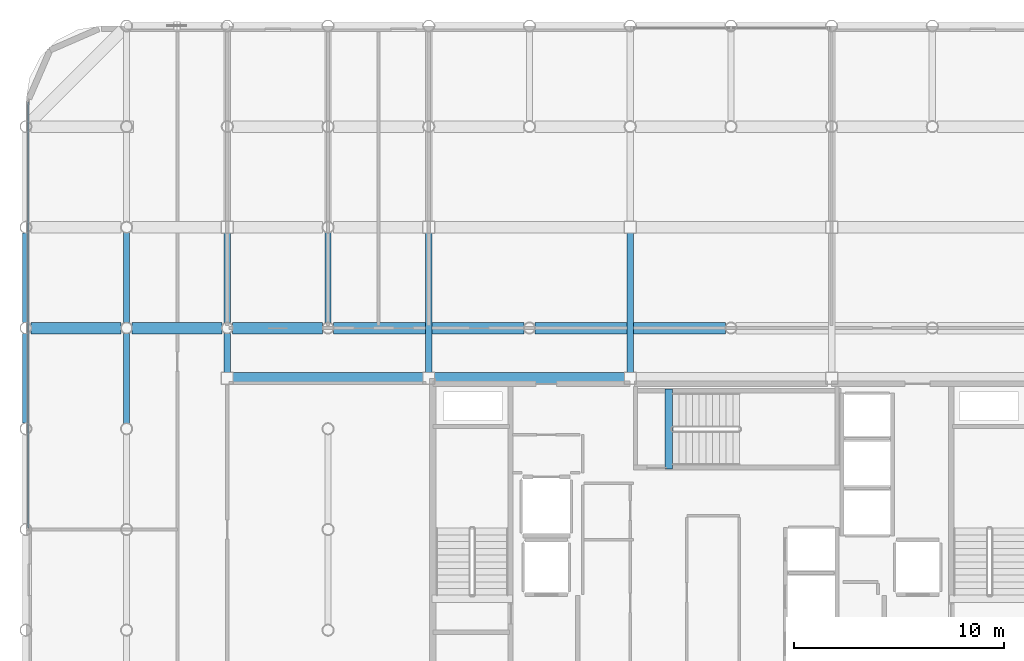
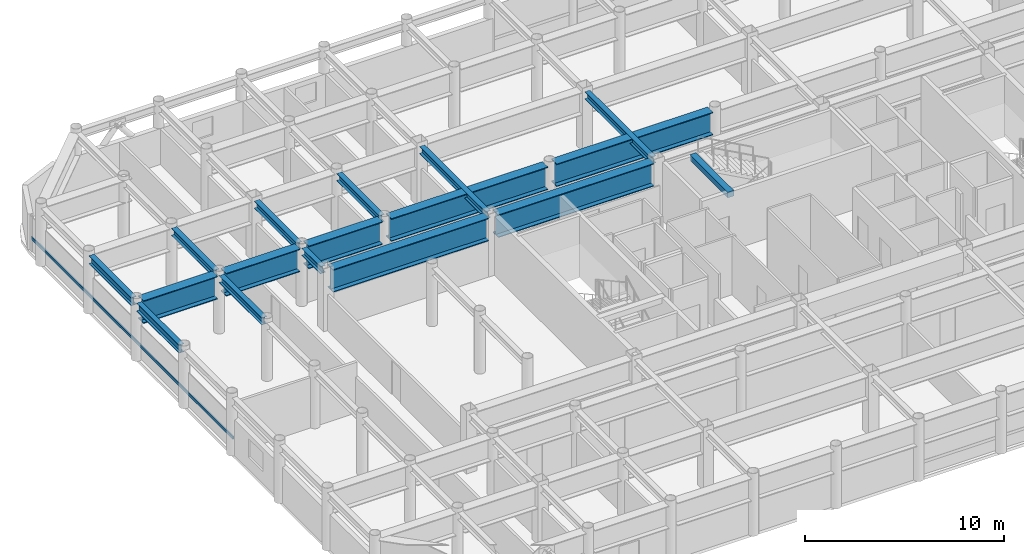
# One storey, part 7 of 21: 17 beams, 1 member, 1 element without a shape of its own.
"""IFC4 building model written with IfcOpenShell, lengths in metres."""

from ifc_helpers import new_model, si_unit, direction, frame, origin, origin_2d, place, context, subcontext, project, spatial, rectangle, hollow_rectangle, i_section, extrude, material, layer, layer_set, material_profile, profile_set, type_object, element, aggregate, save


model = new_model("IFC4")

# Units and contexts
model_context = context("Model", 3, precision=1e-05, world=origin(), true_north=direction((0.0, 1.0)))
body_context = subcontext(model_context, "Body", "Model", "MODEL_VIEW")
ifc_project = project(units=[si_unit("LENGTHUNIT", "METRE"), si_unit("AREAUNIT", "SQUARE_METRE"), si_unit("VOLUMEUNIT", "CUBIC_METRE"), si_unit("PLANEANGLEUNIT", "RADIAN"), si_unit("MASSUNIT", "GRAM", prefix="KILO")], contexts=[model_context])

# Site, building, storey
site_placement = place(None, origin())
site = spatial("IfcSite", under=ifc_project, at=site_placement, CompositionType="ELEMENT")
building_placement = place(site_placement, origin())
building = spatial("IfcBuilding", under=site, at=building_placement, Name="Kallvorn Hotel Tower", CompositionType="ELEMENT")
storey_placement = place(building_placement, frame((0.0, 0.0, 272.35009765625)))
storey = spatial("IfcBuildingStorey", under=building, at=storey_placement, Name="L68", CompositionType="ELEMENT", Elevation=272.35009765625)

# Beams
ifc_material_1 = material(Name="Structural steel S355JR", Category="steel")
ifc_material_profile_1 = material_profile(ifc_material_1, i_section(OverallWidth=0.300048828125, OverallDepth=0.43994140625, WebThickness=0.011474609375, FlangeThickness=0.02099609375, at=origin_2d()), Name="HE 450 A")
ifc_profile_set_1 = profile_set([ifc_material_profile_1], Name="Structural steel S355JR")
beam_type_1 = type_object("IfcBeamType", Name="BM_HE450A", PredefinedType="BEAM", material=ifc_profile_set_1)
for number, where, z_axis, x_axis, name in (
    (1, (-28.800048828125, 5.054443359375, 3.3798828125), (0.0, 1.0, 0.0), (-1.0, 0.0, 0.0), "L69 Primary Y-Girder 78"),
    (2, (-28.800048828125, 9.8544921875, 3.3798828125), (0.0, 1.0, 0.0), (-1.0, 0.0, 0.0), "L69 Primary Y-Girder 79"),
):
    element("IfcBeam", number, at=place(storey_placement, frame(where, z_axis=z_axis, x_axis=x_axis)), inside=storey, type_object=beam_type_1, Name=name, PredefinedType="BEAM", context=body_context, shape_type="SweptSolid", body=[
        extrude(i_section(OverallWidth=0.300048828125, OverallDepth=0.43994140625, WebThickness=0.011474609375, FlangeThickness=0.02099609375, at=origin_2d()), origin(), (0.0, 0.0, 1.0), 4.291015625),
    ])
beam_1_placement = place(storey_placement, frame((-24.0, 7.47509765625, 3.3798828125), z_axis=(0.0, 1.0, 0.0), x_axis=(-1.0, 0.0, 0.0)))
element("IfcBeam", 3, at=beam_1_placement, inside=storey, type_object=beam_type_1, Name="L69 Primary Y-Girder 85", PredefinedType="BEAM", context=body_context, shape_type="SweptSolid", body=[
    extrude(i_section(OverallWidth=0.300048828125, OverallDepth=0.43994140625, WebThickness=0.011474609375, FlangeThickness=0.02099609375, at=origin_2d()), origin(), (0.0, 0.0, 1.0), 1.870361328125),
])
beam_2_placement = place(storey_placement, frame((-24.0, 9.8544921875, 3.3798828125), z_axis=(0.0, 1.0, 0.0), x_axis=(-1.0, 0.0, 0.0)))
element("IfcBeam", 4, at=beam_2_placement, inside=storey, type_object=beam_type_1, Name="L69 Primary Y-Girder 86", PredefinedType="BEAM", context=body_context, shape_type="SweptSolid", body=[
    extrude(i_section(OverallWidth=0.300048828125, OverallDepth=0.43994140625, WebThickness=0.011474609375, FlangeThickness=0.02099609375, at=origin_2d()), origin(), (0.0, 0.0, 1.0), 4.2705078125),
])
beam_3_placement = place(storey_placement, frame((-19.199951171875, 9.8544921875, 3.3798828125), z_axis=(0.0, 1.0, 0.0), x_axis=(-1.0, 0.0, 0.0)))
element("IfcBeam", 5, at=beam_3_placement, inside=storey, type_object=beam_type_1, Name="L69 Primary Y-Girder 95", PredefinedType="BEAM", context=body_context, shape_type="SweptSolid", body=[
    extrude(i_section(OverallWidth=0.300048828125, OverallDepth=0.43994140625, WebThickness=0.011474609375, FlangeThickness=0.02099609375, at=origin_2d()), origin(), (0.0, 0.0, 1.0), 4.291015625),
])
for number, where, z_axis, x_axis, name in (
    (6, (-14.39990234375, 7.47509765625, 3.3798828125), (0.0, 1.0, 0.0), (-1.0, 0.0, 0.0), "L69 Primary Y-Girder 100"),
    (7, (-4.800048828125, 7.47509765625, 3.3798828125), (0.0, 1.0, 0.0), (-1.0, 0.0, 0.0), "L69 Primary Y-Girder 108"),
):
    element("IfcBeam", number, at=place(storey_placement, frame(where, z_axis=z_axis, x_axis=x_axis)), inside=storey, type_object=beam_type_1, Name=name, PredefinedType="BEAM", context=body_context, shape_type="SweptSolid", body=[
        extrude(i_section(OverallWidth=0.300048828125, OverallDepth=0.43994140625, WebThickness=0.011474609375, FlangeThickness=0.02099609375, at=origin_2d()), origin(), (0.0, 0.0, 1.0), 6.64990234375),
    ])
ifc_material_2 = material(Name="Structural steel S355JR", Category="steel")
ifc_material_profile_2 = material_profile(ifc_material_2, i_section(OverallWidth=0.300048828125, OverallDepth=0.5, WebThickness=0.014404296875, FlangeThickness=0.028076171875, at=origin_2d()), Name="HE 500 B")
ifc_profile_set_2 = profile_set([ifc_material_profile_2], Name="Structural steel S355JR")
beam_type_2 = type_object("IfcBeamType", Name="BM_HE500B", PredefinedType="SPANDREL", material=ifc_profile_set_2)
beam_4_placement = place(storey_placement, frame((-33.60009765625, 5.069580078125, 3.349853515625), z_axis=(0.0, 1.0, 0.0), x_axis=(-1.0, 0.0, 0.0)))
element("IfcBeam", 8, at=beam_4_placement, inside=storey, type_object=beam_type_2, Name="L69 Perimeter Spandrel 178", PredefinedType="SPANDREL", context=body_context, shape_type="SweptSolid", body=[
    extrude(i_section(OverallWidth=0.300048828125, OverallDepth=0.5, WebThickness=0.014404296875, FlangeThickness=0.028076171875, at=origin_2d()), origin(), (0.0, 0.0, 1.0), 4.260986328125),
])
beam_5_placement = place(storey_placement, frame((-33.60009765625, 9.869384765625, 3.349853515625), z_axis=(0.0, 1.0, 0.0), x_axis=(-1.0, 0.0, 0.0)))
element("IfcBeam", 9, at=beam_5_placement, inside=storey, type_object=beam_type_2, Name="L69 Perimeter Spandrel 179", PredefinedType="SPANDREL", context=body_context, shape_type="SweptSolid", body=[
    extrude(i_section(OverallWidth=0.300048828125, OverallDepth=0.5, WebThickness=0.014404296875, FlangeThickness=0.028076171875, at=origin_2d()), origin(), (0.0, 0.0, 1.0), 4.26123046875),
])
ifc_material_3 = material(Name="Structural steel S355JR", Category="steel")
ifc_material_profile_3 = material_profile(ifc_material_3, i_section(OverallWidth=0.550048828125, OverallDepth=1.39990234375, WebThickness=0.02490234375, FlangeThickness=0.044921875, at=origin_2d()), Name="PG 1400x550x25x45")
ifc_profile_set_3 = profile_set([ifc_material_profile_3], Name="Structural steel S355JR")
beam_type_3 = type_object("IfcBeamType", Name="BM_PG_1400", PredefinedType="BEAM", material=ifc_profile_set_3)
for number, where, z_axis, x_axis, name in (
    (10, (-23.72509765625, 7.199951171875, 2.89990234375), (1.0, 0.0, 0.0), (0.0, 1.0, 0.0), "L69 Primary X-Girder 36"),
    (11, (-14.125, 7.199951171875, 2.89990234375), (1.0, 0.0, 0.0), (0.0, 1.0, 0.0), "L69 Primary X-Girder 37"),
):
    element("IfcBeam", number, at=place(storey_placement, frame(where, z_axis=z_axis, x_axis=x_axis)), inside=storey, type_object=beam_type_3, Name=name, PredefinedType="BEAM", context=body_context, shape_type="SweptSolid", body=[
        extrude(i_section(OverallWidth=0.550048828125, OverallDepth=1.39990234375, WebThickness=0.02490234375, FlangeThickness=0.044921875, at=origin_2d()), origin(), (0.0, 0.0, 1.0), 9.050048828125),
    ])
for number, where, z_axis, x_axis, name in (
    (12, (-33.345458984375, 9.60009765625, 2.89990234375), (1.0, 0.0, 0.0), (0.0, 1.0, 0.0), "L69 Primary X-Girder 41"),
    (13, (-28.54541015625, 9.60009765625, 2.89990234375), (1.0, 0.0, 0.0), (0.0, 1.0, 0.0), "L69 Primary X-Girder 42"),
    (14, (-23.74560546875, 9.60009765625, 2.89990234375), (1.0, 0.0, 0.0), (0.0, 1.0, 0.0), "L69 Primary X-Girder 43"),
):
    element("IfcBeam", number, at=place(storey_placement, frame(where, z_axis=z_axis, x_axis=x_axis)), inside=storey, type_object=beam_type_3, Name=name, PredefinedType="BEAM", context=body_context, shape_type="SweptSolid", body=[
        extrude(i_section(OverallWidth=0.550048828125, OverallDepth=1.39990234375, WebThickness=0.02490234375, FlangeThickness=0.044921875, at=origin_2d()), origin(), (0.0, 0.0, 1.0), 4.291015625),
    ])
for number, where, z_axis, x_axis, name in (
    (15, (-18.945556640625, 9.60009765625, 2.89990234375), (1.0, 0.0, 0.0), (0.0, 1.0, 0.0), "L69 Primary X-Girder 44"),
    (16, (-9.345458984375, 9.60009765625, 2.89990234375), (1.0, 0.0, 0.0), (0.0, 1.0, 0.0), "L69 Primary X-Girder 45"),
):
    element("IfcBeam", number, at=place(storey_placement, frame(where, z_axis=z_axis, x_axis=x_axis)), inside=storey, type_object=beam_type_3, Name=name, PredefinedType="BEAM", context=body_context, shape_type="SweptSolid", body=[
        extrude(i_section(OverallWidth=0.550048828125, OverallDepth=1.39990234375, WebThickness=0.02490234375, FlangeThickness=0.044921875, at=origin_2d()), origin(), (0.0, 0.0, 1.0), 9.091064453125),
    ])
ifc_material_4 = material(Name="Concrete C50/60", Category="concrete")
ifc_material_profile_4 = material_profile(ifc_material_4, rectangle(XDim=0.360107421875, YDim=0.340087890625, at=origin_2d()), Name="RC 360x340")
ifc_profile_set_4 = profile_set([ifc_material_profile_4], Name="Concrete C50/60")
beam_type_4 = type_object("IfcBeamType", Name="BM_RC_400x360", PredefinedType="BEAM", material=ifc_profile_set_4)
beam_6_placement = place(storey_placement, frame((-2.9599609375, 2.8701171875, 3.429931640625), z_axis=(0.0, 1.0, 0.0), x_axis=(-1.0, 0.0, 0.0)))
element("IfcBeam", 17, at=beam_6_placement, inside=storey, type_object=beam_type_4, Name="L69 Stair ST3 Arrival Trimmer Beam", PredefinedType="BEAM", context=body_context, shape_type="SweptSolid", body=[
    extrude(rectangle(XDim=0.360107421875, YDim=0.340087890625, at=origin_2d()), origin(), (0.0, 0.0, 1.0), 3.81982421875),
])

# Curtain wall, member
ifc_material_5 = material(Name="Thermally broken black-anodised aluminium AA 6063-T6", Category="aluminium")
ifc_layer = layer(ifc_material_5, 0.22998046875)
ifc_layer_set = layer_set([ifc_layer], Name="CW_SYS_5_HOTEL_HIGH")
curtain_wall_type = type_object("IfcCurtainWallType", Name="CW_SYS_5_HOTEL_HIGH", PredefinedType="USERDEFINED", material=ifc_layer_set)
curtain_wall_placement = place(storey_placement, origin())
curtain_wall = element("IfcCurtainWall", 18, at=curtain_wall_placement, inside=storey, type_object=curtain_wall_type, Name="L68 Dark-Glass Curtain Wall CW-L68-WN", ObjectType="UNITISED CURTAIN WALL", PredefinedType="USERDEFINED")
ifc_material_6 = material(Name="Thermally broken black-anodised aluminium AA 6063-T6", Category="aluminium")
ifc_material_profile_5 = material_profile(ifc_material_6, hollow_rectangle(XDim=0.070068359375, YDim=0.179931640625, WallThickness=0.00390625, at=origin_2d()), Name="TRN 180x70")
ifc_profile_set_5 = profile_set([ifc_material_profile_5], Name="Thermally broken black-anodised aluminium AA 6063-T6")
member_type = type_object("IfcMemberType", Name="CW_TRANSOM_180x70", PredefinedType="USERDEFINED", material=ifc_profile_set_5)
member_placement = place(storey_placement, frame((-33.47998046875, 0.06005859375, 0.849853515625), z_axis=(0.0, 1.0, 0.0), x_axis=(-1.0, 0.0, 0.0)))
member = element("IfcMember", 19, at=member_placement, type_object=member_type, Name="CW-L68-WN Transom 00M", ObjectType="TRANSOM", PredefinedType="USERDEFINED", context=body_context, shape_type="SweptSolid", body=[
    extrude(hollow_rectangle(XDim=0.070068359375, YDim=0.179931640625, WallThickness=0.00390625, at=origin_2d()), origin(), (0.0, 0.0, 1.0), 20.300048828125),
])
aggregate(curtain_wall, [member])

save(model, "model.ifc")
